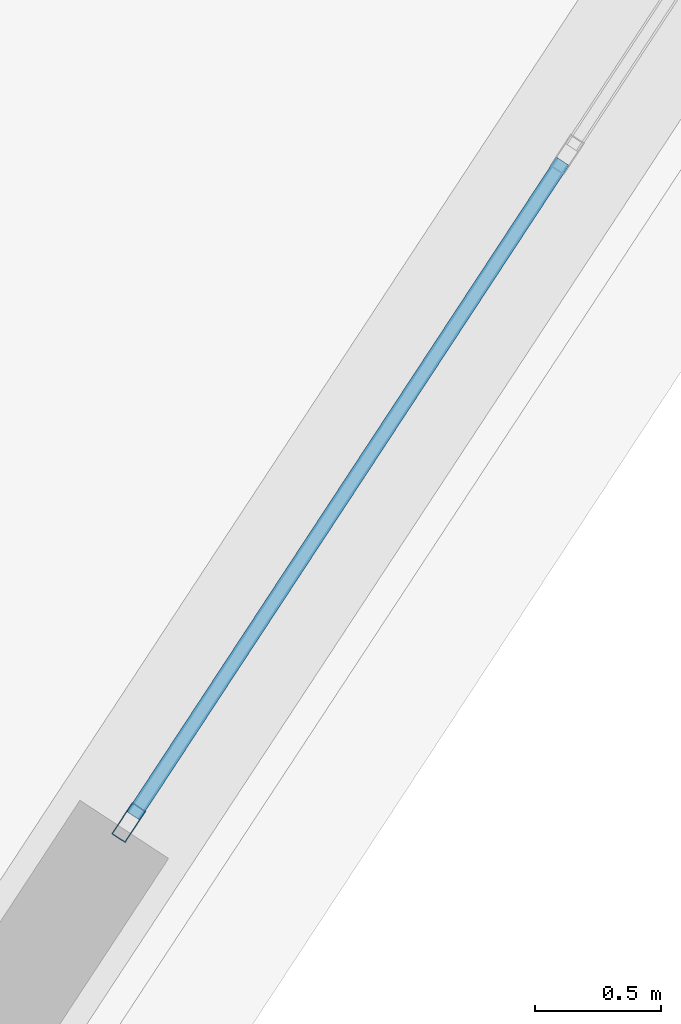
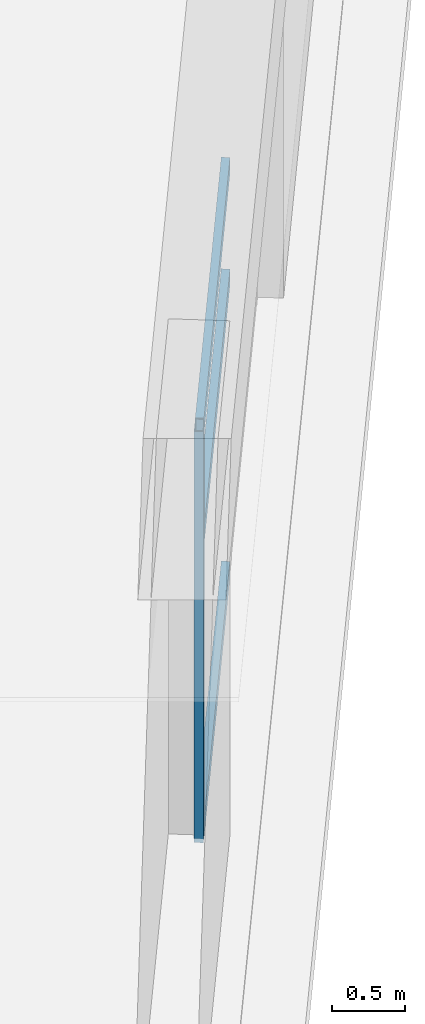
# One storey, part 4 of 30: 4 members, 1 element without a shape of its own.
"""IFC4 building model written with IfcOpenShell, lengths in metres."""

from ifc_helpers import new_model, si_unit, direction, frame, origin, origin_2d, place, context, subcontext, project, spatial, hollow_rectangle, extrude, source, transform, mapped, material, layer, layer_set, material_profile, profile_set, type_object, element, aggregate, save


model = new_model("IFC4")

# Units and contexts
model_context = context("Model", 3, precision=1e-05, world=origin(), true_north=direction((0.0, 1.0)))
body_context = subcontext(model_context, "Body", "Model", "MODEL_VIEW")
ifc_project = project(units=[si_unit("LENGTHUNIT", "METRE"), si_unit("AREAUNIT", "SQUARE_METRE"), si_unit("VOLUMEUNIT", "CUBIC_METRE"), si_unit("PLANEANGLEUNIT", "RADIAN"), si_unit("MASSUNIT", "GRAM", prefix="KILO")], contexts=[model_context])

# Site, building, storey
site_placement = place(None, origin())
site = spatial("IfcSite", under=ifc_project, at=site_placement, CompositionType="ELEMENT")
building_placement = place(site_placement, origin())
building = spatial("IfcBuilding", under=site, at=building_placement, Name="Liaohun Quay Tower", CompositionType="ELEMENT")
storey_placement = place(building_placement, frame((0.0, 0.0, 97.5)))
storey = spatial("IfcBuildingStorey", under=building, at=storey_placement, Name="L25", CompositionType="ELEMENT", Elevation=97.5)

# Curtain wall, members
ifc_material_1 = material(Name="Low-rise sky-lobby belvedere curtain wall")
ifc_layer = layer(ifc_material_1, 0.199951171875, Name="Low-rise sky-lobby belvedere curtain wall")
ifc_layer_set = layer_set([ifc_layer], Name="Low-rise sky-lobby belvedere curtain wall")
curtain_wall_type = type_object("IfcCurtainWallType", Name="CW-SKY-L25", PredefinedType="NOTDEFINED", material=ifc_layer_set)
curtain_wall_placement = place(storey_placement, origin())
curtain_wall = element("IfcCurtainWall", 1, at=curtain_wall_placement, inside=storey, type_object=curtain_wall_type, Name="L25 Panoramic Belvedere Curtain Wall 01", PredefinedType="NOTDEFINED")
ifc_material_2 = material(Name="Anodised aluminium 6063-T6", Category="aluminium")
ifc_material_profile_1 = material_profile(ifc_material_2, hollow_rectangle(XDim=0.06494140625, YDim=0.14990234375, WallThickness=0.00390625, at=origin_2d()), Name="RHS150x65x4")
ifc_profile_set_1 = profile_set([ifc_material_profile_1], Name="Anodised aluminium 6063-T6")
member_type_1 = type_object("IfcMemberType", Name="MEM-CWM-SKY", PredefinedType="MULLION", material=ifc_profile_set_1)
shared_shape_1 = source(origin(), body_context, "Body", "SweptSolid", [
    extrude(hollow_rectangle(XDim=0.06494140625, YDim=0.14990234375, WallThickness=0.00390625, at=origin_2d()), origin(), (0.0, 0.0, 1.0), 3.419921875),
])
member_1_placement = place(storey_placement, frame((73.69384765625, 26.13525390625, 0.0), z_axis=(0.0, 0.0, 1.0), x_axis=(-0.836018795372, 0.548700805343, 0.0)))
member_1 = element("IfcMember", 2, at=member_1_placement, type_object=member_type_1, Name="CW3 mullion 1", PredefinedType="MULLION", context=body_context, shape_type="MappedRepresentation", body=[
    mapped(shared_shape_1, transform((0.0, 0.0, 0.0), x_axis=(1.0, 0.0, 0.0), y_axis=(0.0, 1.0, 0.0), z_axis=(0.0, 0.0, 1.0), scale=1.0)),
])
ifc_material_profile_2 = material_profile(ifc_material_2, hollow_rectangle(XDim=0.06005859375, YDim=0.135009765625, WallThickness=0.00390625, at=origin_2d()), Name="RHS135x60x4")
ifc_profile_set_2 = profile_set([ifc_material_profile_2], Name="Anodised aluminium 6063-T6")
member_type_2 = type_object("IfcMemberType", Name="MEM-CWT-SKY", PredefinedType="USERDEFINED", material=ifc_profile_set_2)
shared_shape_2 = source(origin(), body_context, "Body", "SweptSolid", [
    extrude(hollow_rectangle(XDim=0.06005859375, YDim=0.135009765625, WallThickness=0.00390625, at=origin_2d()), origin(), (0.0, 0.0, 1.0), 3.102783203125),
])
member_2_placement = place(storey_placement, frame((73.711669921875, 26.162353515625, 0.030029296875), z_axis=(0.548675347397, 0.836035503527, 0.0), x_axis=(-0.836035503527, 0.548675347397, 0.0)))
member_2 = element("IfcMember", 3, at=member_2_placement, type_object=member_type_2, Name="CW3 transom 1.1", ObjectType="TRANSOM", PredefinedType="USERDEFINED", context=body_context, shape_type="MappedRepresentation", body=[
    mapped(shared_shape_2, transform((0.0, 0.0, 0.0), x_axis=(1.0, 0.0, 0.0), y_axis=(0.0, 1.0, 0.0), z_axis=(0.0, 0.0, 1.0), scale=1.0)),
])
member_3_placement = place(storey_placement, frame((73.711669921875, 26.162353515625, 2.4619140625), z_axis=(0.548675347397, 0.836035503527, 0.0), x_axis=(-0.836035503527, 0.548675347397, 0.0)))
member_3 = element("IfcMember", 4, at=member_3_placement, type_object=member_type_2, Name="CW3 transom 1.2", ObjectType="TRANSOM", PredefinedType="USERDEFINED", context=body_context, shape_type="MappedRepresentation", body=[
    mapped(shared_shape_2, transform((0.0, 0.0, 0.0), x_axis=(1.0, 0.0, 0.0), y_axis=(0.0, 1.0, 0.0), z_axis=(0.0, 0.0, 1.0), scale=1.0)),
])
member_4_placement = place(storey_placement, frame((73.711669921875, 26.162353515625, 3.389892578125), z_axis=(0.548675347397, 0.836035503527, 0.0), x_axis=(-0.836035503527, 0.548675347397, 0.0)))
member_4 = element("IfcMember", 5, at=member_4_placement, type_object=member_type_2, Name="CW3 transom 1.3", ObjectType="TRANSOM", PredefinedType="USERDEFINED", context=body_context, shape_type="MappedRepresentation", body=[
    mapped(shared_shape_2, transform((0.0, 0.0, 0.0), x_axis=(1.0, 0.0, 0.0), y_axis=(0.0, 1.0, 0.0), z_axis=(0.0, 0.0, 1.0), scale=1.0)),
])
aggregate(curtain_wall, [member_1, member_2, member_3, member_4])

save(model, "model.ifc")
